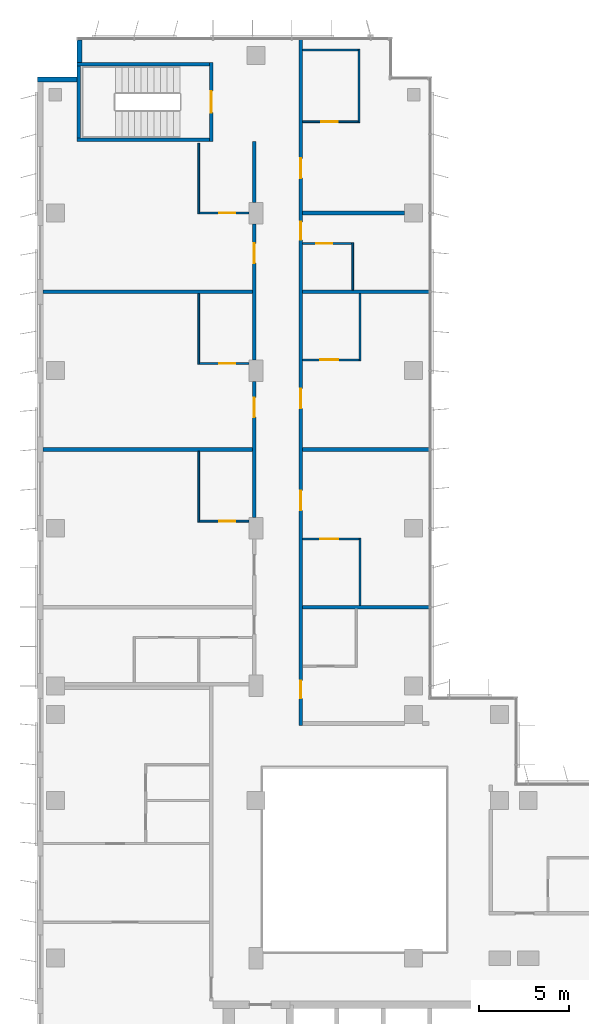
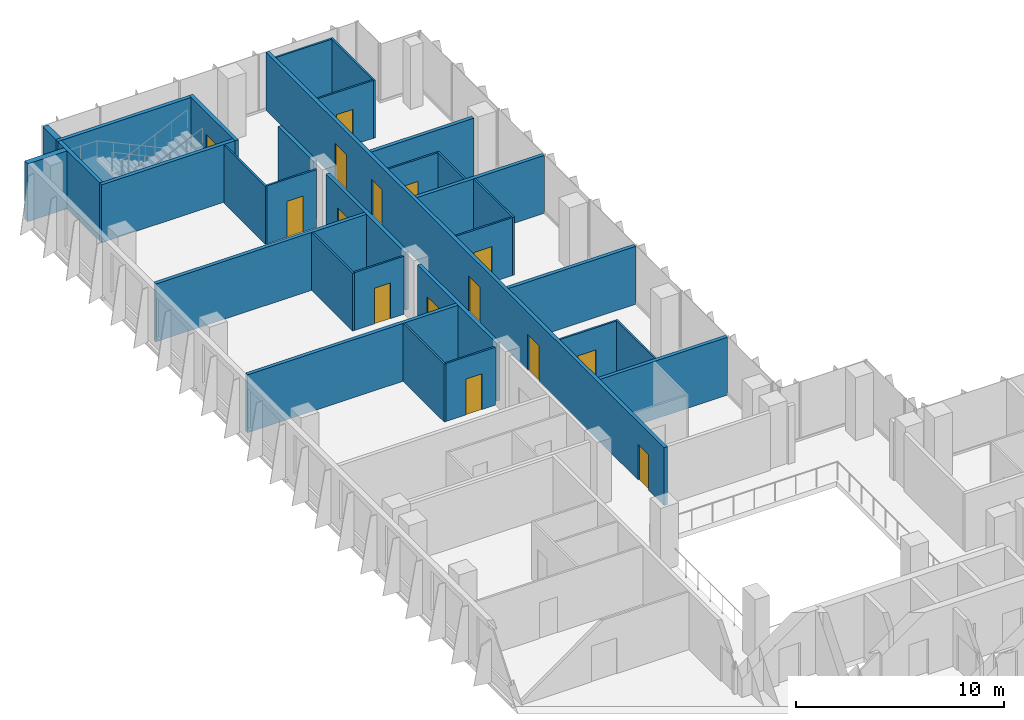
# One storey, part 16 of 20: 31 walls, 15 doors, 15 openings.
"""IFC4 building model written with IfcOpenShell, lengths in metres."""

import ifcopenshell
import ifcopenshell.guid

model = None  # the IFC model being written
_history = None  # IfcOwnerHistory: only IFC2X3 demands one
_inside = {}  # id of a spatial element -> (the spatial element, [elements in it])
_under = {}  # id of a project, library or spatial element -> (it, [spatial elements below it])
_declared = {}  # id of a project -> (the project, [libraries it declares])
_typed = {}  # id of a type object -> (the type object, [elements of that type])
_made_of = {}  # id of a material, layer set ... -> (it, [elements and type objects made of it])


def new_model(schema):
    """Start an empty IFC model of exactly this schema.

    Asked for "IFC4X3", IfcOpenShell would pick the latest addendum, in which some entities
    have other attributes; the version numbers below select the first issue.
    IFC2X3 requires an IfcOwnerHistory on every rooted entity: one is made here for all.
    """
    global model, _history
    if schema == "IFC4X3":
        model = ifcopenshell.file(schema_version=(4, 3, 0, 0))
    else:
        model = ifcopenshell.file(schema=schema)
    _inside.clear()
    _under.clear()
    _declared.clear()
    _typed.clear()
    _made_of.clear()
    _history = None
    if model.schema == "IFC2X3":
        org = make("IfcOrganization", Name="unknown")
        user = make(
            "IfcPersonAndOrganization",
            ThePerson=make("IfcPerson", FamilyName="unknown"),
            TheOrganization=org,
        )
        app = make(
            "IfcApplication",
            ApplicationDeveloper=org,
            Version="unknown",
            ApplicationFullName="unknown",
            ApplicationIdentifier="unknown",
        )
        _history = make(
            "IfcOwnerHistory",
            OwningUser=user,
            OwningApplication=app,
            ChangeAction="ADDED",
            CreationDate=0,
        )
    return model


def make(cls, **values):
    """One entity of the class cls with the attributes given. An attribute that is None is left unset."""
    return model.create_entity(
        cls, **{name: value for name, value in values.items() if value is not None}
    )


def rooted(cls, **values):
    """An entity with a GlobalId (a new one), such as an element, a storey or a relation."""
    return make(cls, GlobalId=ifcopenshell.guid.new(), OwnerHistory=_history, **values)


def si_unit(unit_type, name, prefix=None):
    """IfcSIUnit, for example si_unit("LENGTHUNIT", "METRE", prefix="MILLI")."""
    return make("IfcSIUnit", UnitType=unit_type, Prefix=prefix, Name=name)


def assignment(units):
    """IfcUnitAssignment: the units of a project."""
    return None if units is None else make("IfcUnitAssignment", Units=units)


def point(xyz):
    """IfcCartesianPoint."""
    return None if xyz is None else make("IfcCartesianPoint", Coordinates=xyz)


def direction(xyz):
    """IfcDirection."""
    return None if xyz is None else make("IfcDirection", DirectionRatios=xyz)


def frame(location, z_axis=None, x_axis=None):
    """IfcAxis2Placement3D, a coordinate frame: its origin and axes. An axis left out is left unset."""
    return make(
        "IfcAxis2Placement3D",
        Location=point(location),
        Axis=direction(z_axis),
        RefDirection=direction(x_axis),
    )


def frame_2d(location, x_axis=None):
    """IfcAxis2Placement2D, a coordinate frame in the plane: its origin and x axis."""
    return make(
        "IfcAxis2Placement2D", Location=point(location), RefDirection=direction(x_axis)
    )


def origin():
    """The frame at (0, 0, 0) with its axes left unset."""
    return frame((0.0, 0.0, 0.0))


def place(relative_to, where):
    """IfcLocalPlacement: puts the frame where relative to a parent placement (None: the world)."""
    return make(
        "IfcLocalPlacement", PlacementRelTo=relative_to, RelativePlacement=where
    )


def context(
    kind, dimensions, precision=None, world=None, true_north=None, identifier=None
):
    """IfcGeometricRepresentationContext, for example the 3D "Model" context."""
    return make(
        "IfcGeometricRepresentationContext",
        ContextIdentifier=identifier,
        ContextType=kind,
        CoordinateSpaceDimension=dimensions,
        Precision=precision,
        WorldCoordinateSystem=world,
        TrueNorth=true_north,
    )


def subcontext(parent, identifier, kind, view, scale=None):
    """IfcGeometricRepresentationSubContext, for example "Body" below "Model"."""
    return make(
        "IfcGeometricRepresentationSubContext",
        ContextIdentifier=identifier,
        ContextType=kind,
        ParentContext=parent,
        TargetScale=scale,
        TargetView=view,
    )


def project(units=None, contexts=None):
    """IfcProject with its units and contexts."""
    return rooted(
        "IfcProject",
        Name="project",
        RepresentationContexts=contexts,
        UnitsInContext=assignment(units),
    )


def spatial(cls, under=None, at=None, **own):
    """A site, building, storey or space (cls), placed at a placement, below another one or the project."""
    s = rooted(cls, ObjectPlacement=at, **own)
    if under is not None:
        _under.setdefault(under.id(), (under, []))[1].append(s)
    return s


def profile(cls, at=None, kind="AREA", **sizes):
    """A parametric profile (cls). Its sizes go by their IFC names, for example OverallWidth=200.0."""
    return make(cls, ProfileType=kind, Position=at, **sizes)


def rectangle(**sizes):
    """IfcRectangleProfileDef."""
    return profile("IfcRectangleProfileDef", **sizes)


def extrude(swept, where, along, depth):
    """IfcExtrudedAreaSolid: the profile swept, set in the frame where, extruded along a direction by depth."""
    return make(
        "IfcExtrudedAreaSolid",
        SweptArea=swept,
        Position=where,
        ExtrudedDirection=direction(along),
        Depth=depth,
    )


def shape(context_of_items, identifier, shape_type, items):
    """IfcShapeRepresentation: the items that make up one representation, for example the "Body"."""
    return make(
        "IfcShapeRepresentation",
        ContextOfItems=context_of_items,
        RepresentationIdentifier=identifier,
        RepresentationType=shape_type,
        Items=items,
    )


def material(Name=None, Category=None):
    """IfcMaterial."""
    return make("IfcMaterial", Name=Name, Category=Category)


def layer(
    of_material, thickness, ventilated=None, Name=None, Category=None, Priority=None
):
    """IfcMaterialLayer: one layer of a wall or slab, of a material (None: an air gap)."""
    return make(
        "IfcMaterialLayer",
        Material=of_material,
        LayerThickness=thickness,
        IsVentilated=ventilated,
        Name=Name,
        Category=Category,
        Priority=Priority,
    )


def layer_set(layers, Name=None):
    """IfcMaterialLayerSet."""
    return make("IfcMaterialLayerSet", MaterialLayers=layers, LayerSetName=Name)


def made_of(thing, what):
    """Note that an element or type object is made of a material, layer set ...; save() writes the relation."""
    if what is not None:
        _made_of.setdefault(what.id(), (what, []))[1].append(thing)
    return thing


def type_object(cls, material=None, **own):
    """A type object (cls), such as IfcWallType, which elements share."""
    return made_of(rooted(cls, **own), material)


def element(
    cls,
    number,
    at=None,
    inside=None,
    cuts=None,
    type_object=None,
    material=None,
    context=None,
    identifier="Body",
    shape_type=None,
    held_by="IfcProductDefinitionShape",
    body=None,
    shapes=None,
    **own,
):
    """One element of the class cls, such as IfcWall. Its Tag is "e" and its number.

    at: its placement. inside: the storey or other place that contains it. cuts: it is an
    opening in that element (IfcRelVoidsElement). A single representation is given by context,
    identifier, shape_type and body (its items); several are given by shapes. held_by: the class
    of the entity that holds the representations. save() writes the other relations.
    """
    e = rooted(cls, Tag="e%d" % number, ObjectPlacement=at, **own)
    if body is not None:
        shapes = [shape(context, identifier, shape_type, body)]
    if shapes is not None:
        e.Representation = make(held_by, Representations=shapes)
    if inside is not None:
        _inside.setdefault(inside.id(), (inside, []))[1].append(e)
    if cuts is not None:
        rooted(
            "IfcRelVoidsElement", RelatingBuildingElement=cuts, RelatedOpeningElement=e
        )
    if type_object is not None:
        _typed.setdefault(type_object.id(), (type_object, []))[1].append(e)
    return made_of(e, material)


def fill(opening, filler):
    """IfcRelFillsElement: the door or window that sits in an opening."""
    return rooted(
        "IfcRelFillsElement",
        RelatingOpeningElement=opening,
        RelatedBuildingElement=filler,
    )


def aggregate(whole, parts):
    """IfcRelAggregates: a whole, such as a stair, and the parts it consists of."""
    return rooted("IfcRelAggregates", RelatingObject=whole, RelatedObjects=parts)


def save(model, path):
    """Write the relations noted so far, then the file.

    IfcRelAggregates (storeys below a building ...), IfcRelContainedInSpatialStructure (elements
    in a storey), IfcRelDefinesByType, IfcRelAssociatesMaterial and IfcRelDeclares: one each for
    every whole, place, type object, material and project.
    """
    for whole, parts in _under.values():
        aggregate(whole, parts)
    for where, things in _inside.values():
        rooted(
            "IfcRelContainedInSpatialStructure",
            RelatedElements=things,
            RelatingStructure=where,
        )
    for kind, things in _typed.values():
        rooted("IfcRelDefinesByType", RelatedObjects=things, RelatingType=kind)
    for what, things in _made_of.values():
        rooted("IfcRelAssociatesMaterial", RelatedObjects=things, RelatingMaterial=what)
    for by, libraries in _declared.values():
        rooted("IfcRelDeclares", RelatingContext=by, RelatedDefinitions=libraries)
    model.write(path)


model = new_model("IFC4")

# Units and contexts
model_context = context("Model", 3, precision=1e-05, world=origin(), true_north=direction((0.0, 1.0)))
body_context = subcontext(model_context, "Body", "Model", "MODEL_VIEW")
ifc_project = project(units=[si_unit("LENGTHUNIT", "METRE"), si_unit("AREAUNIT", "SQUARE_METRE"), si_unit("VOLUMEUNIT", "CUBIC_METRE"), si_unit("PLANEANGLEUNIT", "RADIAN"), si_unit("MASSUNIT", "GRAM", prefix="KILO")], contexts=[model_context])

# Site, building, storey
site_placement = place(None, origin())
site = spatial("IfcSite", under=ifc_project, at=site_placement, CompositionType="ELEMENT")
building_placement = place(site_placement, origin())
building = spatial("IfcBuilding", under=site, at=building_placement, Name="Kemantara Hotel Tower", CompositionType="ELEMENT")
storey_placement = place(building_placement, frame((0.0, 0.0, 186.39990234375)))
storey = spatial("IfcBuildingStorey", under=building, at=storey_placement, Name="L46", CompositionType="ELEMENT", Elevation=186.39990234375)

# Walls
ifc_material_1 = material(Name="Bronze anodised aluminium cladding on insulated steel stud wall", Category="steel")
ifc_layer_1 = layer(ifc_material_1, 0.300048828125)
ifc_layer_set_1 = layer_set([ifc_layer_1], Name="Bronze anodised aluminium cladding on insulated steel stud wall")
wall_type_1 = type_object("IfcWallType", Name="BRONZE METAL-CLAD EXTERNAL WALL 300", PredefinedType="STANDARD", material=ifc_layer_set_1)
wall_1_placement = place(storey_placement, frame((2.35009765625, 63.449951171875, 0.0), z_axis=(0.0, 0.0, 1.0), x_axis=(0.0, -1.0, 0.0)))
element("IfcWall", 1, at=wall_1_placement, inside=storey, type_object=wall_type_1, Name="EXTERNAL WALL L46 T3-R03", PredefinedType="STANDARD", context=body_context, shape_type="SweptSolid", body=[
    extrude(rectangle(XDim=1.25, YDim=0.300048828125, at=frame_2d((0.625, 0.0))), origin(), (0.0, 0.0, 1.0), 3.400146484375),
])
wall_2_placement = place(storey_placement, frame((2.199951171875, 61.25, 0.0), z_axis=(0.0, 0.0, 1.0), x_axis=(-1.0, 0.0, 0.0)))
element("IfcWall", 2, at=wall_2_placement, inside=storey, type_object=wall_type_1, Name="EXTERNAL WALL L46 T3-R04", PredefinedType="STANDARD", context=body_context, shape_type="SweptSolid", body=[
    extrude(rectangle(XDim=2.199951171875, YDim=0.300048828125, at=frame_2d((1.10009765625, 0.0))), origin(), (0.0, 0.0, 1.0), 3.400146484375),
])

# Wall, opening, door
ifc_material_2 = material(Name="Gypsum board partition, steel studs and mineral wool, 200 mm", Category="steel")
ifc_layer_2 = layer(ifc_material_2, 0.199951171875)
ifc_layer_set_2 = layer_set([ifc_layer_2], Name="Gypsum board partition, steel studs and mineral wool, 200 mm")
wall_type_2 = type_object("IfcWallType", Name="CORRIDOR WALL 200", PredefinedType="PARTITIONING", material=ifc_layer_set_2)
wall_3_placement = place(storey_placement, frame((12.10009765625, 36.800048828125, 0.0), z_axis=(0.0, 0.0, 1.0), x_axis=(0.0, 1.0, 0.0)))
wall_3 = element("IfcWall", 3, at=wall_3_placement, inside=storey, type_object=wall_type_2, Name="CORRIDOR WALL 200 015", PredefinedType="PARTITIONING", context=body_context, shape_type="SweptSolid", body=[
    extrude(rectangle(XDim=7.599853515625, YDim=0.199951171875, at=frame_2d((3.7998046875, 0.0))), origin(), (0.0, 0.0, 1.0), 3.400146484375),
])
opening_1_placement = place(wall_3_placement, frame((5.599853515625, 0.0, 0.0)))
opening_1 = element("IfcOpeningElement", 4, at=opening_1_placement, cuts=wall_3, Name="Opening F22-025", PredefinedType="OPENING", context=body_context, shape_type="SweptSolid", body=[
    extrude(rectangle(XDim=1.10009765625, YDim=2.10009765625, at=frame_2d((0.550048828125, 1.050048828125))), frame((0.0, 0.10986328125, 0.0), z_axis=(0.0, -1.0, 0.0), x_axis=(1.0, 0.0, 0.0)), (0.0, 0.0, 1.0), 0.219970703125),
])
ifc_material_3 = material(Name="Hardwood veneer door leaf with steel frame", Category="steel")
door_type_1 = type_object("IfcDoorType", Name="SUITE ENTRANCE DOOR 1100 X 2100 FD30S", OperationType="NOTDEFINED", PredefinedType="DOOR", material=ifc_material_3)
door_1_placement = place(opening_1_placement, origin())
door_1 = element("IfcDoor", 5, at=door_1_placement, inside=storey, type_object=door_type_1, Name="SUITE ENTRANCE DOOR F22-025", OperationType="SINGLE_SWING_LEFT", OverallHeight=2.10009765625, OverallWidth=1.10009765625, PredefinedType="DOOR", context=body_context, shape_type="SweptSolid", body=[
    extrude(rectangle(XDim=1.10009765625, YDim=2.10009765625, at=frame_2d((0.550048828125, 1.050048828125))), frame((0.0, 0.02490234375, 0.0), z_axis=(0.0, -1.0, 0.0), x_axis=(1.0, 0.0, 0.0)), (0.0, 0.0, 1.0), 0.050048828125),
])
fill(opening_1, door_1)

wall_4_placement = place(storey_placement, frame((12.10009765625, 45.60009765625, 0.0), z_axis=(0.0, 0.0, 1.0), x_axis=(0.0, 1.0, 0.0)))
wall_4 = element("IfcWall", 6, at=wall_4_placement, inside=storey, type_object=wall_type_2, Name="CORRIDOR WALL 200 016", PredefinedType="PARTITIONING", context=body_context, shape_type="SweptSolid", body=[
    extrude(rectangle(XDim=7.599853515625, YDim=0.199951171875, at=frame_2d((3.7998046875, 0.0))), origin(), (0.0, 0.0, 1.0), 3.400146484375),
])
opening_2_placement = place(wall_4_placement, frame((5.39990234375, 0.0, 0.0)))
opening_2 = element("IfcOpeningElement", 7, at=opening_2_placement, cuts=wall_4, Name="Opening F22-027", PredefinedType="OPENING", context=body_context, shape_type="SweptSolid", body=[
    extrude(rectangle(XDim=1.10009765625, YDim=2.10009765625, at=frame_2d((0.550048828125, 1.050048828125))), frame((0.0, 0.10986328125, 0.0), z_axis=(0.0, -1.0, 0.0), x_axis=(1.0, 0.0, 0.0)), (0.0, 0.0, 1.0), 0.219970703125),
])
door_2_placement = place(opening_2_placement, origin())
door_2 = element("IfcDoor", 8, at=door_2_placement, inside=storey, type_object=door_type_1, Name="SUITE ENTRANCE DOOR F22-027", OperationType="SINGLE_SWING_LEFT", OverallHeight=2.10009765625, OverallWidth=1.10009765625, PredefinedType="DOOR", context=body_context, shape_type="SweptSolid", body=[
    extrude(rectangle(XDim=1.10009765625, YDim=2.10009765625, at=frame_2d((0.550048828125, 1.050048828125))), frame((0.0, 0.02490234375, 0.0), z_axis=(0.0, -1.0, 0.0), x_axis=(1.0, 0.0, 0.0)), (0.0, 0.0, 1.0), 0.050048828125),
])
fill(opening_2, door_2)

# Wall
wall_5_placement = place(storey_placement, frame((12.10009765625, 54.400146484375, 0.0), z_axis=(0.0, 0.0, 1.0), x_axis=(0.0, 1.0, 0.0)))
element("IfcWall", 9, at=wall_5_placement, inside=storey, type_object=wall_type_2, Name="CORRIDOR WALL 200 017", PredefinedType="PARTITIONING", context=body_context, shape_type="SweptSolid", body=[
    extrude(rectangle(XDim=3.39990234375, YDim=0.199951171875, at=frame_2d((1.699951171875, 0.0))), origin(), (0.0, 0.0, 1.0), 3.400146484375),
])

# Wall, openings, doors
wall_6_placement = place(storey_placement, frame((14.699951171875, 63.47998046875, 0.0), z_axis=(0.0, 0.0, 1.0), x_axis=(0.0, -1.0, 0.0)))
wall_6 = element("IfcWall", 10, at=wall_6_placement, inside=storey, type_object=wall_type_2, Name="CORRIDOR WALL 200 025", PredefinedType="PARTITIONING", context=body_context, shape_type="SweptSolid", body=[
    extrude(rectangle(XDim=38.280029296875, YDim=0.199951171875, at=frame_2d((19.14013671875, 0.0))), origin(), (0.0, 0.0, 1.0), 3.400146484375),
])
opening_3_placement = place(wall_6_placement, frame((35.77978515625, 0.0, 0.0)))
opening_3 = element("IfcOpeningElement", 11, at=opening_3_placement, cuts=wall_6, Name="Opening F22-029", PredefinedType="OPENING", context=body_context, shape_type="SweptSolid", body=[
    extrude(rectangle(XDim=1.0, YDim=2.10009765625, at=frame_2d((0.5, 1.050048828125))), frame((0.0, 0.10986328125, 0.0), z_axis=(0.0, -1.0, 0.0), x_axis=(1.0, 0.0, 0.0)), (0.0, 0.0, 1.0), 0.219970703125),
])
opening_4_placement = place(wall_6_placement, frame((25.179931640625, 0.0, 0.0)))
opening_4 = element("IfcOpeningElement", 12, at=opening_4_placement, cuts=wall_6, Name="Opening F22-031", PredefinedType="OPENING", context=body_context, shape_type="SweptSolid", body=[
    extrude(rectangle(XDim=1.10009765625, YDim=2.10009765625, at=frame_2d((0.550048828125, 1.050048828125))), frame((0.0, 0.10986328125, 0.0), z_axis=(0.0, -1.0, 0.0), x_axis=(1.0, 0.0, 0.0)), (0.0, 0.0, 1.0), 0.219970703125),
])
opening_5_placement = place(wall_6_placement, frame((19.47998046875, 0.0, 0.0)))
opening_5 = element("IfcOpeningElement", 13, at=opening_5_placement, cuts=wall_6, Name="Opening F22-033", PredefinedType="OPENING", context=body_context, shape_type="SweptSolid", body=[
    extrude(rectangle(XDim=1.10009765625, YDim=2.10009765625, at=frame_2d((0.550048828125, 1.050048828125))), frame((0.0, 0.10986328125, 0.0), z_axis=(0.0, -1.0, 0.0), x_axis=(1.0, 0.0, 0.0)), (0.0, 0.0, 1.0), 0.219970703125),
])
opening_6_placement = place(wall_6_placement, frame((10.179931640625, 0.0, 0.0)))
opening_6 = element("IfcOpeningElement", 14, at=opening_6_placement, cuts=wall_6, Name="Opening F22-035", PredefinedType="OPENING", context=body_context, shape_type="SweptSolid", body=[
    extrude(rectangle(XDim=1.0, YDim=2.10009765625, at=frame_2d((0.5, 1.050048828125))), frame((0.0, 0.10986328125, 0.0), z_axis=(0.0, -1.0, 0.0), x_axis=(1.0, 0.0, 0.0)), (0.0, 0.0, 1.0), 0.219970703125),
])
opening_7_placement = place(wall_6_placement, frame((6.6298828125, 0.0, 0.0)))
opening_7 = element("IfcOpeningElement", 15, at=opening_7_placement, cuts=wall_6, Name="Opening F22-037", PredefinedType="OPENING", context=body_context, shape_type="SweptSolid", body=[
    extrude(rectangle(XDim=1.10009765625, YDim=2.10009765625, at=frame_2d((0.550048828125, 1.050048828125))), frame((0.0, 0.10986328125, 0.0), z_axis=(0.0, -1.0, 0.0), x_axis=(1.0, 0.0, 0.0)), (0.0, 0.0, 1.0), 0.219970703125),
])
door_type_2 = type_object("IfcDoorType", Name="GUEST ROOM DOOR 1000 X 2100 FD30S", OperationType="NOTDEFINED", PredefinedType="DOOR", material=ifc_material_3)
door_3_placement = place(opening_3_placement, origin())
door_3 = element("IfcDoor", 16, at=door_3_placement, inside=storey, type_object=door_type_2, Name="GUEST ROOM DOOR F22-029", OperationType="SINGLE_SWING_RIGHT", OverallHeight=2.10009765625, OverallWidth=1.0, PredefinedType="DOOR", context=body_context, shape_type="SweptSolid", body=[
    extrude(rectangle(XDim=1.0, YDim=2.10009765625, at=frame_2d((0.5, 1.050048828125))), frame((0.0, 0.02490234375, 0.0), z_axis=(0.0, -1.0, 0.0), x_axis=(1.0, 0.0, 0.0)), (0.0, 0.0, 1.0), 0.050048828125),
])
fill(opening_3, door_3)
door_4_placement = place(opening_6_placement, origin())
door_4 = element("IfcDoor", 17, at=door_4_placement, inside=storey, type_object=door_type_2, Name="GUEST ROOM DOOR F22-035", OperationType="SINGLE_SWING_LEFT", OverallHeight=2.10009765625, OverallWidth=1.0, PredefinedType="DOOR", context=body_context, shape_type="SweptSolid", body=[
    extrude(rectangle(XDim=1.0, YDim=2.10009765625, at=frame_2d((0.5, 1.050048828125))), frame((0.0, 0.02490234375, 0.0), z_axis=(0.0, -1.0, 0.0), x_axis=(1.0, 0.0, 0.0)), (0.0, 0.0, 1.0), 0.050048828125),
])
fill(opening_6, door_4)
door_type_3 = type_object("IfcDoorType", Name="GUEST ROOM DOOR 1100 X 2100 FD30S", OperationType="NOTDEFINED", PredefinedType="DOOR", material=ifc_material_3)
door_5_placement = place(opening_4_placement, origin())
door_5 = element("IfcDoor", 18, at=door_5_placement, inside=storey, type_object=door_type_3, Name="GUEST ROOM DOOR F22-031", OperationType="SINGLE_SWING_LEFT", OverallHeight=2.10009765625, OverallWidth=1.10009765625, PredefinedType="DOOR", context=body_context, shape_type="SweptSolid", body=[
    extrude(rectangle(XDim=1.10009765625, YDim=2.10009765625, at=frame_2d((0.550048828125, 1.050048828125))), frame((0.0, 0.02490234375, 0.0), z_axis=(0.0, -1.0, 0.0), x_axis=(1.0, 0.0, 0.0)), (0.0, 0.0, 1.0), 0.050048828125),
])
fill(opening_4, door_5)
door_6_placement = place(opening_5_placement, origin())
door_6 = element("IfcDoor", 19, at=door_6_placement, inside=storey, type_object=door_type_3, Name="GUEST ROOM DOOR F22-033", OperationType="SINGLE_SWING_RIGHT", OverallHeight=2.10009765625, OverallWidth=1.10009765625, PredefinedType="DOOR", context=body_context, shape_type="SweptSolid", body=[
    extrude(rectangle(XDim=1.10009765625, YDim=2.10009765625, at=frame_2d((0.550048828125, 1.050048828125))), frame((0.0, 0.02490234375, 0.0), z_axis=(0.0, -1.0, 0.0), x_axis=(1.0, 0.0, 0.0)), (0.0, 0.0, 1.0), 0.050048828125),
])
fill(opening_5, door_6)
door_7_placement = place(opening_7_placement, origin())
door_7 = element("IfcDoor", 20, at=door_7_placement, inside=storey, type_object=door_type_1, Name="SUITE ENTRANCE DOOR F22-037", OperationType="SINGLE_SWING_RIGHT", OverallHeight=2.10009765625, OverallWidth=1.10009765625, PredefinedType="DOOR", context=body_context, shape_type="SweptSolid", body=[
    extrude(rectangle(XDim=1.10009765625, YDim=2.10009765625, at=frame_2d((0.550048828125, 1.050048828125))), frame((0.0, 0.02490234375, 0.0), z_axis=(0.0, -1.0, 0.0), x_axis=(1.0, 0.0, 0.0)), (0.0, 0.0, 1.0), 0.050048828125),
])
fill(opening_7, door_7)

# Wall, opening, door
ifc_material_4 = material(Name="Concrete fc 40 MPa", Category="concrete")
ifc_layer_3 = layer(ifc_material_4, 0.199951171875)
ifc_layer_set_3 = layer_set([ifc_layer_3], Name="Concrete fc 40 MPa")
wall_type_3 = type_object("IfcWallType", Name="Concrete stair wall 200 mm", PredefinedType="SHEAR", material=ifc_layer_set_3)
wall_7_placement = place(storey_placement, frame((9.699951171875, 57.800048828125, 0.0), z_axis=(0.0, 0.0, 1.0), x_axis=(0.0, 1.0, 0.0)))
wall_7 = element("IfcWall", 21, at=wall_7_placement, inside=storey, type_object=wall_type_3, Name="Stair ST4 enclosure wall with door", PredefinedType="SHEAR", context=body_context, shape_type="SweptSolid", body=[
    extrude(rectangle(XDim=4.39990234375, YDim=0.199951171875, at=frame_2d((2.199951171875, 0.0))), origin(), (0.0, 0.0, 1.0), 3.400146484375),
])
opening_8_placement = place(wall_7_placement, frame((1.60009765625, 0.0, 0.0)))
opening_8 = element("IfcOpeningElement", 22, at=opening_8_placement, cuts=wall_7, Name="Opening ST4-C", PredefinedType="OPENING", context=body_context, shape_type="SweptSolid", body=[
    extrude(rectangle(XDim=1.199951171875, YDim=2.10009765625, at=frame_2d((0.60009765625, 1.050048828125))), frame((0.0, 0.10986328125, 0.0), z_axis=(0.0, -1.0, 0.0), x_axis=(1.0, 0.0, 0.0)), (0.0, 0.0, 1.0), 0.219970703125),
])
ifc_material_5 = material(Name="Steel fire door", Category="steel")
door_type_4 = type_object("IfcDoorType", Name="Fire door FD90 1200 x 2100", OperationType="NOTDEFINED", PredefinedType="DOOR", material=ifc_material_5)
door_8_placement = place(opening_8_placement, origin())
door_8 = element("IfcDoor", 23, at=door_8_placement, inside=storey, type_object=door_type_4, Name="Stair ST4 door", OperationType="SINGLE_SWING_RIGHT", OverallHeight=2.10009765625, OverallWidth=1.199951171875, PredefinedType="DOOR", context=body_context, shape_type="SweptSolid", body=[
    extrude(rectangle(XDim=1.199951171875, YDim=2.10009765625, at=frame_2d((0.60009765625, 1.050048828125))), frame((0.0, 0.02490234375, 0.0), z_axis=(0.0, -1.0, 0.0), x_axis=(1.0, 0.0, 0.0)), (0.0, 0.0, 1.0), 0.050048828125),
])
fill(opening_8, door_8)

# Walls
for number, where, z_axis, x_axis, name in (
    (24, (2.199951171875, 62.10009765625, 0.0), (0.0, 0.0, 1.0), (1.0, 0.0, 0.0), "Stair ST4 enclosure wall N"),
    (25, (2.199951171875, 57.89990234375, 0.0), (0.0, 0.0, 1.0), (1.0, 0.0, 0.0), "Stair ST4 enclosure wall S"),
):
    element("IfcWall", number, at=place(storey_placement, frame(where, z_axis=z_axis, x_axis=x_axis)), inside=storey, type_object=wall_type_3, Name=name, PredefinedType="SHEAR", context=body_context, shape_type="SweptSolid", body=[
        extrude(rectangle(XDim=7.400146484375, YDim=0.199951171875, at=frame_2d((3.7001953125, 0.0))), origin(), (0.0, 0.0, 1.0), 3.400146484375),
    ])
wall_8_placement = place(storey_placement, frame((2.300048828125, 58.0, 0.0), z_axis=(0.0, 0.0, 1.0), x_axis=(0.0, 1.0, 0.0)))
element("IfcWall", 26, at=wall_8_placement, inside=storey, type_object=wall_type_3, Name="Stair ST4 enclosure wall W", PredefinedType="SHEAR", context=body_context, shape_type="SweptSolid", body=[
    extrude(rectangle(XDim=4.0, YDim=0.199951171875, at=frame_2d((2.0, 0.0))), origin(), (0.0, 0.0, 1.0), 3.400146484375),
])
ifc_layer_4 = layer(ifc_material_2, 0.199951171875)
ifc_layer_set_4 = layer_set([ifc_layer_4], Name="Gypsum board partition, steel studs and mineral wool, 200 mm")
wall_type_4 = type_object("IfcWallType", Name="GUEST ROOM PARTY WALL 200", PredefinedType="PARTITIONING", material=ifc_layer_set_4)
wall_9_placement = place(storey_placement, frame((14.800048828125, 31.800048828125, 0.0), z_axis=(0.0, 0.0, 1.0), x_axis=(1.0, 0.0, 0.0)))
element("IfcWall", 27, at=wall_9_placement, inside=storey, type_object=wall_type_4, Name="GUEST ROOM PARTY WALL 200 020", PredefinedType="PARTITIONING", context=body_context, shape_type="SweptSolid", body=[
    extrude(rectangle(XDim=7.070068359375, YDim=0.199951171875, at=frame_2d((3.53515625, 0.0))), origin(), (0.0, 0.0, 1.0), 3.400146484375),
])
wall_10_placement = place(storey_placement, frame((0.31005859375, 40.60009765625, 0.0), z_axis=(0.0, 0.0, 1.0), x_axis=(1.0, 0.0, 0.0)))
element("IfcWall", 28, at=wall_10_placement, inside=storey, type_object=wall_type_4, Name="GUEST ROOM PARTY WALL 200 021", PredefinedType="PARTITIONING", context=body_context, shape_type="SweptSolid", body=[
    extrude(rectangle(XDim=11.68994140625, YDim=0.199951171875, at=frame_2d((5.844970703125, 0.0))), origin(), (0.0, 0.0, 1.0), 3.400146484375),
])
wall_11_placement = place(storey_placement, frame((14.800048828125, 40.60009765625, 0.0), z_axis=(0.0, 0.0, 1.0), x_axis=(1.0, 0.0, 0.0)))
element("IfcWall", 29, at=wall_11_placement, inside=storey, type_object=wall_type_4, Name="GUEST ROOM PARTY WALL 200 022", PredefinedType="PARTITIONING", context=body_context, shape_type="SweptSolid", body=[
    extrude(rectangle(XDim=7.070068359375, YDim=0.199951171875, at=frame_2d((3.53515625, 0.0))), origin(), (0.0, 0.0, 1.0), 3.400146484375),
])
wall_12_placement = place(storey_placement, frame((0.31005859375, 49.39990234375, 0.0), z_axis=(0.0, 0.0, 1.0), x_axis=(1.0, 0.0, 0.0)))
element("IfcWall", 30, at=wall_12_placement, inside=storey, type_object=wall_type_4, Name="GUEST ROOM PARTY WALL 200 023", PredefinedType="PARTITIONING", context=body_context, shape_type="SweptSolid", body=[
    extrude(rectangle(XDim=11.68994140625, YDim=0.199951171875, at=frame_2d((5.844970703125, 0.0))), origin(), (0.0, 0.0, 1.0), 3.400146484375),
])
wall_13_placement = place(storey_placement, frame((14.800048828125, 49.39990234375, 0.0), z_axis=(0.0, 0.0, 1.0), x_axis=(1.0, 0.0, 0.0)))
element("IfcWall", 31, at=wall_13_placement, inside=storey, type_object=wall_type_4, Name="GUEST ROOM PARTY WALL 200 024", PredefinedType="PARTITIONING", context=body_context, shape_type="SweptSolid", body=[
    extrude(rectangle(XDim=7.070068359375, YDim=0.199951171875, at=frame_2d((3.53515625, 0.0))), origin(), (0.0, 0.0, 1.0), 3.400146484375),
])
wall_14_placement = place(storey_placement, frame((14.800048828125, 53.800048828125, 0.0), z_axis=(0.0, 0.0, 1.0), x_axis=(1.0, 0.0, 0.0)))
element("IfcWall", 32, at=wall_14_placement, inside=storey, type_object=wall_type_4, Name="GUEST ROOM PARTY WALL 200 028", PredefinedType="PARTITIONING", context=body_context, shape_type="SweptSolid", body=[
    extrude(rectangle(XDim=5.699951171875, YDim=0.199951171875, at=frame_2d((2.85009765625, 0.0))), origin(), (0.0, 0.0, 1.0), 3.400146484375),
])
ifc_material_6 = material(Name="Gypsum board partition on steel studs, 100 mm", Category="steel")
ifc_layer_5 = layer(ifc_material_6, 0.10009765625)
ifc_layer_set_5 = layer_set([ifc_layer_5], Name="Gypsum board partition on steel studs, 100 mm")
wall_type_5 = type_object("IfcWallType", Name="ROOM PARTITION 100", PredefinedType="PARTITIONING", material=ifc_layer_set_5)
for number, where, z_axis, x_axis, name in (
    (33, (9.0, 36.550048828125, 0.0), (0.0, 0.0, 1.0), (0.0, 1.0, 0.0), "ROOM PARTITION 100 052"),
    (34, (9.0, 45.35009765625, 0.0), (0.0, 0.0, 1.0), (0.0, 1.0, 0.0), "ROOM PARTITION 100 053"),
    (35, (9.0, 53.75, 0.0), (0.0, 0.0, 1.0), (0.0, 1.0, 0.0), "ROOM PARTITION 100 054"),
):
    element("IfcWall", number, at=place(storey_placement, frame(where, z_axis=z_axis, x_axis=x_axis)), inside=storey, type_object=wall_type_5, Name=name, PredefinedType="PARTITIONING", context=body_context, shape_type="SweptSolid", body=[
        extrude(rectangle(XDim=3.949951171875, YDim=0.10009765625, at=frame_2d((1.97509765625, 0.0))), origin(), (0.0, 0.0, 1.0), 3.400146484375),
    ])

# Wall, opening, door
wall_15_placement = place(storey_placement, frame((9.050048828125, 36.60009765625, 0.0), z_axis=(0.0, 0.0, 1.0), x_axis=(1.0, 0.0, 0.0)))
wall_15 = element("IfcWall", 36, at=wall_15_placement, inside=storey, type_object=wall_type_5, Name="ROOM PARTITION 100 056", PredefinedType="PARTITIONING", context=body_context, shape_type="SweptSolid", body=[
    extrude(rectangle(XDim=2.749755859375, YDim=0.10009765625, at=frame_2d((1.375, 0.0))), origin(), (0.0, 0.0, 1.0), 3.400146484375),
])
opening_9_placement = place(wall_15_placement, frame((1.10009765625, 0.0, 0.0)))
opening_9 = element("IfcOpeningElement", 37, at=opening_9_placement, cuts=wall_15, Name="Opening F22-024", PredefinedType="OPENING", context=body_context, shape_type="SweptSolid", body=[
    extrude(rectangle(XDim=0.89990234375, YDim=2.10009765625, at=frame_2d((0.449951171875, 1.050048828125))), frame((0.0, 0.06005859375, 0.0), z_axis=(0.0, -1.0, 0.0), x_axis=(1.0, 0.0, 0.0)), (0.0, 0.0, 1.0), 0.1201171875),
])
door_type_5 = type_object("IfcDoorType", Name="BATHROOM DOOR 900 X 2100", OperationType="NOTDEFINED", PredefinedType="DOOR", material=ifc_material_3)
door_9_placement = place(opening_9_placement, origin())
door_9 = element("IfcDoor", 38, at=door_9_placement, inside=storey, type_object=door_type_5, Name="BATHROOM DOOR F22-024", OperationType="SINGLE_SWING_RIGHT", OverallHeight=2.10009765625, OverallWidth=0.89990234375, PredefinedType="DOOR", context=body_context, shape_type="SweptSolid", body=[
    extrude(rectangle(XDim=0.89990234375, YDim=2.10009765625, at=frame_2d((0.449951171875, 1.050048828125))), frame((0.0, 0.02490234375, 0.0), z_axis=(0.0, -1.0, 0.0), x_axis=(1.0, 0.0, 0.0)), (0.0, 0.0, 1.0), 0.050048828125),
])
fill(opening_9, door_9)

wall_16_placement = place(storey_placement, frame((9.050048828125, 45.39990234375, 0.0), z_axis=(0.0, 0.0, 1.0), x_axis=(1.0, 0.0, 0.0)))
wall_16 = element("IfcWall", 39, at=wall_16_placement, inside=storey, type_object=wall_type_5, Name="ROOM PARTITION 100 057", PredefinedType="PARTITIONING", context=body_context, shape_type="SweptSolid", body=[
    extrude(rectangle(XDim=2.749755859375, YDim=0.10009765625, at=frame_2d((1.375, 0.0))), origin(), (0.0, 0.0, 1.0), 3.400146484375),
])
opening_10_placement = place(wall_16_placement, frame((1.10009765625, 0.0, 0.0)))
opening_10 = element("IfcOpeningElement", 40, at=opening_10_placement, cuts=wall_16, Name="Opening F22-026", PredefinedType="OPENING", context=body_context, shape_type="SweptSolid", body=[
    extrude(rectangle(XDim=0.89990234375, YDim=2.10009765625, at=frame_2d((0.449951171875, 1.050048828125))), frame((0.0, 0.06005859375, 0.0), z_axis=(0.0, -1.0, 0.0), x_axis=(1.0, 0.0, 0.0)), (0.0, 0.0, 1.0), 0.1201171875),
])
door_10_placement = place(opening_10_placement, origin())
door_10 = element("IfcDoor", 41, at=door_10_placement, inside=storey, type_object=door_type_5, Name="BATHROOM DOOR F22-026", OperationType="SINGLE_SWING_RIGHT", OverallHeight=2.10009765625, OverallWidth=0.89990234375, PredefinedType="DOOR", context=body_context, shape_type="SweptSolid", body=[
    extrude(rectangle(XDim=0.89990234375, YDim=2.10009765625, at=frame_2d((0.449951171875, 1.050048828125))), frame((0.0, 0.02490234375, 0.0), z_axis=(0.0, -1.0, 0.0), x_axis=(1.0, 0.0, 0.0)), (0.0, 0.0, 1.0), 0.050048828125),
])
fill(opening_10, door_10)

wall_17_placement = place(storey_placement, frame((9.050048828125, 53.800048828125, 0.0), z_axis=(0.0, 0.0, 1.0), x_axis=(1.0, 0.0, 0.0)))
wall_17 = element("IfcWall", 42, at=wall_17_placement, inside=storey, type_object=wall_type_5, Name="ROOM PARTITION 100 058", PredefinedType="PARTITIONING", context=body_context, shape_type="SweptSolid", body=[
    extrude(rectangle(XDim=2.749755859375, YDim=0.10009765625, at=frame_2d((1.375, 0.0))), origin(), (0.0, 0.0, 1.0), 3.400146484375),
])
opening_11_placement = place(wall_17_placement, frame((1.10009765625, 0.0, 0.0)))
opening_11 = element("IfcOpeningElement", 43, at=opening_11_placement, cuts=wall_17, Name="Opening F22-028", PredefinedType="OPENING", context=body_context, shape_type="SweptSolid", body=[
    extrude(rectangle(XDim=0.89990234375, YDim=2.10009765625, at=frame_2d((0.449951171875, 1.050048828125))), frame((0.0, 0.06005859375, 0.0), z_axis=(0.0, -1.0, 0.0), x_axis=(1.0, 0.0, 0.0)), (0.0, 0.0, 1.0), 0.1201171875),
])
door_11_placement = place(opening_11_placement, origin())
door_11 = element("IfcDoor", 44, at=door_11_placement, inside=storey, type_object=door_type_5, Name="BATHROOM DOOR F22-028", OperationType="SINGLE_SWING_RIGHT", OverallHeight=2.10009765625, OverallWidth=0.89990234375, PredefinedType="DOOR", context=body_context, shape_type="SweptSolid", body=[
    extrude(rectangle(XDim=0.89990234375, YDim=2.10009765625, at=frame_2d((0.449951171875, 1.050048828125))), frame((0.0, 0.02490234375, 0.0), z_axis=(0.0, -1.0, 0.0), x_axis=(1.0, 0.0, 0.0)), (0.0, 0.0, 1.0), 0.050048828125),
])
fill(opening_11, door_11)

# Walls
for number, where, z_axis, x_axis, name in (
    (45, (18.0, 31.89990234375, 0.0), (0.0, 0.0, 1.0), (0.0, 1.0, 0.0), "ROOM PARTITION 100 061"),
    (46, (18.0, 45.550048828125, 0.0), (0.0, 0.0, 1.0), (0.0, 1.0, 0.0), "ROOM PARTITION 100 062"),
):
    element("IfcWall", number, at=place(storey_placement, frame(where, z_axis=z_axis, x_axis=x_axis)), inside=storey, type_object=wall_type_5, Name=name, PredefinedType="PARTITIONING", context=body_context, shape_type="SweptSolid", body=[
        extrude(rectangle(XDim=3.75, YDim=0.10009765625, at=frame_2d((1.875, 0.0))), origin(), (0.0, 0.0, 1.0), 3.400146484375),
    ])

# Wall, opening, door
wall_18_placement = place(storey_placement, frame((17.949951171875, 35.60009765625, 0.0), z_axis=(0.0, 0.0, 1.0), x_axis=(-1.0, 0.0, 0.0)))
wall_18 = element("IfcWall", 47, at=wall_18_placement, inside=storey, type_object=wall_type_5, Name="ROOM PARTITION 100 063", PredefinedType="PARTITIONING", context=body_context, shape_type="SweptSolid", body=[
    extrude(rectangle(XDim=3.14990234375, YDim=0.10009765625, at=frame_2d((1.574951171875, 0.0))), origin(), (0.0, 0.0, 1.0), 3.400146484375),
])
opening_12_placement = place(wall_18_placement, frame((1.14990234375, 0.0, 0.0)))
opening_12 = element("IfcOpeningElement", 48, at=opening_12_placement, cuts=wall_18, Name="Opening F22-032", PredefinedType="OPENING", context=body_context, shape_type="SweptSolid", body=[
    extrude(rectangle(XDim=1.0, YDim=2.10009765625, at=frame_2d((0.5, 1.050048828125))), frame((0.0, 0.06005859375, 0.0), z_axis=(0.0, -1.0, 0.0), x_axis=(1.0, 0.0, 0.0)), (0.0, 0.0, 1.0), 0.1201171875),
])
door_type_6 = type_object("IfcDoorType", Name="BATHROOM DOOR 1000 X 2100", OperationType="NOTDEFINED", PredefinedType="DOOR", material=ifc_material_3)
door_12_placement = place(opening_12_placement, origin())
door_12 = element("IfcDoor", 49, at=door_12_placement, inside=storey, type_object=door_type_6, Name="BATHROOM DOOR F22-032", OperationType="SINGLE_SWING_RIGHT", OverallHeight=2.10009765625, OverallWidth=1.0, PredefinedType="DOOR", context=body_context, shape_type="SweptSolid", body=[
    extrude(rectangle(XDim=1.0, YDim=2.10009765625, at=frame_2d((0.5, 1.050048828125))), frame((0.0, 0.02490234375, 0.0), z_axis=(0.0, -1.0, 0.0), x_axis=(1.0, 0.0, 0.0)), (0.0, 0.0, 1.0), 0.050048828125),
])
fill(opening_12, door_12)

wall_19_placement = place(storey_placement, frame((14.800048828125, 45.60009765625, 0.0), z_axis=(0.0, 0.0, 1.0), x_axis=(1.0, 0.0, 0.0)))
wall_19 = element("IfcWall", 50, at=wall_19_placement, inside=storey, type_object=wall_type_5, Name="ROOM PARTITION 100 064", PredefinedType="PARTITIONING", context=body_context, shape_type="SweptSolid", body=[
    extrude(rectangle(XDim=3.14990234375, YDim=0.10009765625, at=frame_2d((1.574951171875, 0.0))), origin(), (0.0, 0.0, 1.0), 3.400146484375),
])
opening_13_placement = place(wall_19_placement, frame((1.0, 0.0, 0.0)))
opening_13 = element("IfcOpeningElement", 51, at=opening_13_placement, cuts=wall_19, Name="Opening F22-034", PredefinedType="OPENING", context=body_context, shape_type="SweptSolid", body=[
    extrude(rectangle(XDim=1.0, YDim=2.10009765625, at=frame_2d((0.5, 1.050048828125))), frame((0.0, 0.06005859375, 0.0), z_axis=(0.0, -1.0, 0.0), x_axis=(1.0, 0.0, 0.0)), (0.0, 0.0, 1.0), 0.1201171875),
])
door_13_placement = place(opening_13_placement, origin())
door_13 = element("IfcDoor", 52, at=door_13_placement, inside=storey, type_object=door_type_6, Name="BATHROOM DOOR F22-034", OperationType="SINGLE_SWING_LEFT", OverallHeight=2.10009765625, OverallWidth=1.0, PredefinedType="DOOR", context=body_context, shape_type="SweptSolid", body=[
    extrude(rectangle(XDim=1.0, YDim=2.10009765625, at=frame_2d((0.5, 1.050048828125))), frame((0.0, 0.02490234375, 0.0), z_axis=(0.0, -1.0, 0.0), x_axis=(1.0, 0.0, 0.0)), (0.0, 0.0, 1.0), 0.050048828125),
])
fill(opening_13, door_13)

# Wall
wall_20_placement = place(storey_placement, frame((17.60009765625, 49.5, 0.0), z_axis=(0.0, 0.0, 1.0), x_axis=(0.0, 1.0, 0.0)))
element("IfcWall", 53, at=wall_20_placement, inside=storey, type_object=wall_type_5, Name="ROOM PARTITION 100 065", PredefinedType="PARTITIONING", context=body_context, shape_type="SweptSolid", body=[
    extrude(rectangle(XDim=2.64990234375, YDim=0.10009765625, at=frame_2d((1.324951171875, 0.0))), origin(), (0.0, 0.0, 1.0), 3.400146484375),
])

# Wall, opening, door
wall_21_placement = place(storey_placement, frame((17.550048828125, 52.10009765625, 0.0), z_axis=(0.0, 0.0, 1.0), x_axis=(-1.0, 0.0, 0.0)))
wall_21 = element("IfcWall", 54, at=wall_21_placement, inside=storey, type_object=wall_type_5, Name="ROOM PARTITION 100 066", PredefinedType="PARTITIONING", context=body_context, shape_type="SweptSolid", body=[
    extrude(rectangle(XDim=2.75, YDim=0.10009765625, at=frame_2d((1.375, 0.0))), origin(), (0.0, 0.0, 1.0), 3.400146484375),
])
opening_14_placement = place(wall_21_placement, frame((1.10009765625, 0.0, 0.0)))
opening_14 = element("IfcOpeningElement", 55, at=opening_14_placement, cuts=wall_21, Name="Opening F22-036", PredefinedType="OPENING", context=body_context, shape_type="SweptSolid", body=[
    extrude(rectangle(XDim=0.89990234375, YDim=2.10009765625, at=frame_2d((0.449951171875, 1.050048828125))), frame((0.0, 0.06005859375, 0.0), z_axis=(0.0, -1.0, 0.0), x_axis=(1.0, 0.0, 0.0)), (0.0, 0.0, 1.0), 0.1201171875),
])
door_14_placement = place(opening_14_placement, origin())
door_14 = element("IfcDoor", 56, at=door_14_placement, inside=storey, type_object=door_type_5, Name="BATHROOM DOOR F22-036", OperationType="SINGLE_SWING_RIGHT", OverallHeight=2.10009765625, OverallWidth=0.89990234375, PredefinedType="DOOR", context=body_context, shape_type="SweptSolid", body=[
    extrude(rectangle(XDim=0.89990234375, YDim=2.10009765625, at=frame_2d((0.449951171875, 1.050048828125))), frame((0.0, 0.02490234375, 0.0), z_axis=(0.0, -1.0, 0.0), x_axis=(1.0, 0.0, 0.0)), (0.0, 0.0, 1.0), 0.050048828125),
])
fill(opening_14, door_14)

# Wall
wall_22_placement = place(storey_placement, frame((17.949951171875, 58.85009765625, 0.0), z_axis=(0.0, 0.0, 1.0), x_axis=(0.0, 1.0, 0.0)))
element("IfcWall", 57, at=wall_22_placement, inside=storey, type_object=wall_type_5, Name="ROOM PARTITION 100 067", PredefinedType="PARTITIONING", context=body_context, shape_type="SweptSolid", body=[
    extrude(rectangle(XDim=4.099853515625, YDim=0.10009765625, at=frame_2d((2.0498046875, 0.0))), origin(), (0.0, 0.0, 1.0), 3.400146484375),
])

# Wall, opening, door
wall_23_placement = place(storey_placement, frame((14.800048828125, 58.89990234375, 0.0), z_axis=(0.0, 0.0, 1.0), x_axis=(1.0, 0.0, 0.0)))
wall_23 = element("IfcWall", 58, at=wall_23_placement, inside=storey, type_object=wall_type_5, Name="ROOM PARTITION 100 068", PredefinedType="PARTITIONING", context=body_context, shape_type="SweptSolid", body=[
    extrude(rectangle(XDim=3.099853515625, YDim=0.10009765625, at=frame_2d((1.5498046875, 0.0))), origin(), (0.0, 0.0, 1.0), 3.400146484375),
])
opening_15_placement = place(wall_23_placement, frame((1.050048828125, 0.0, 0.0)))
opening_15 = element("IfcOpeningElement", 59, at=opening_15_placement, cuts=wall_23, Name="Opening F22-038", PredefinedType="OPENING", context=body_context, shape_type="SweptSolid", body=[
    extrude(rectangle(XDim=0.89990234375, YDim=2.10009765625, at=frame_2d((0.449951171875, 1.050048828125))), frame((0.0, 0.06005859375, 0.0), z_axis=(0.0, -1.0, 0.0), x_axis=(1.0, 0.0, 0.0)), (0.0, 0.0, 1.0), 0.1201171875),
])
door_15_placement = place(opening_15_placement, origin())
door_15 = element("IfcDoor", 60, at=door_15_placement, inside=storey, type_object=door_type_5, Name="BATHROOM DOOR F22-038", OperationType="SINGLE_SWING_LEFT", OverallHeight=2.10009765625, OverallWidth=0.89990234375, PredefinedType="DOOR", context=body_context, shape_type="SweptSolid", body=[
    extrude(rectangle(XDim=0.89990234375, YDim=2.10009765625, at=frame_2d((0.449951171875, 1.050048828125))), frame((0.0, 0.02490234375, 0.0), z_axis=(0.0, -1.0, 0.0), x_axis=(1.0, 0.0, 0.0)), (0.0, 0.0, 1.0), 0.050048828125),
])
fill(opening_15, door_15)

# Wall
wall_24_placement = place(storey_placement, frame((14.800048828125, 62.89990234375, 0.0), z_axis=(0.0, 0.0, 1.0), x_axis=(1.0, 0.0, 0.0)))
element("IfcWall", 61, at=wall_24_placement, inside=storey, type_object=wall_type_5, Name="ROOM PARTITION 100 069", PredefinedType="PARTITIONING", context=body_context, shape_type="SweptSolid", body=[
    extrude(rectangle(XDim=3.099853515625, YDim=0.10009765625, at=frame_2d((1.5498046875, 0.0))), origin(), (0.0, 0.0, 1.0), 3.400146484375),
])

save(model, "model.ifc")
